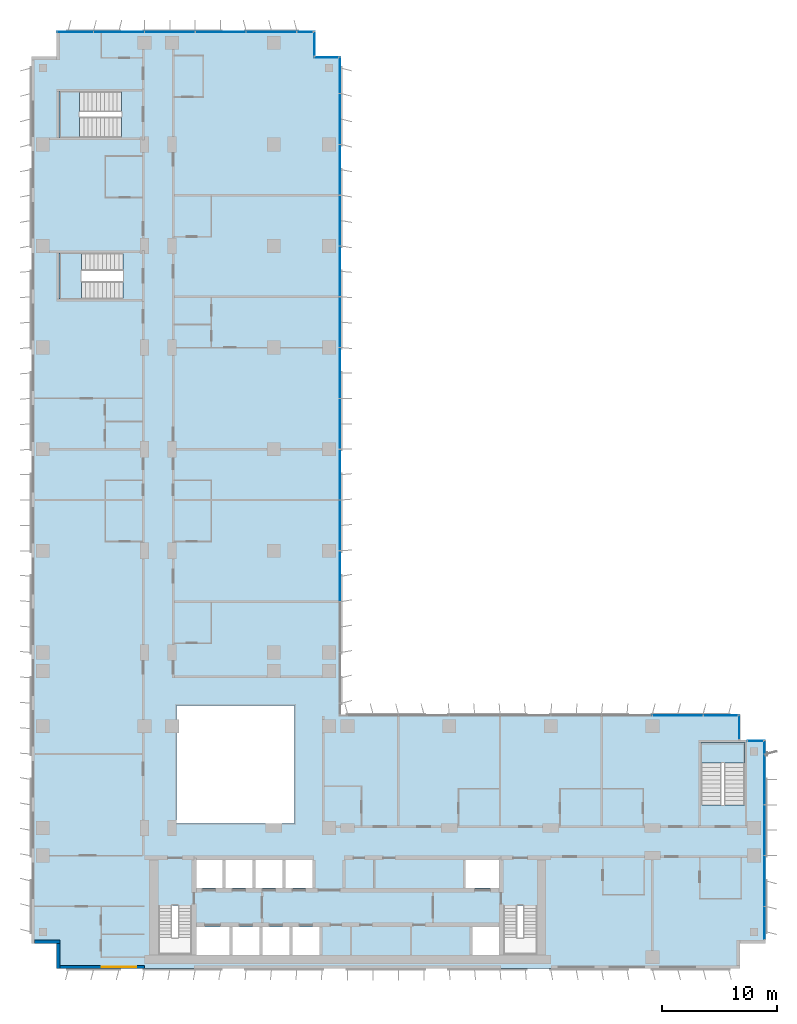
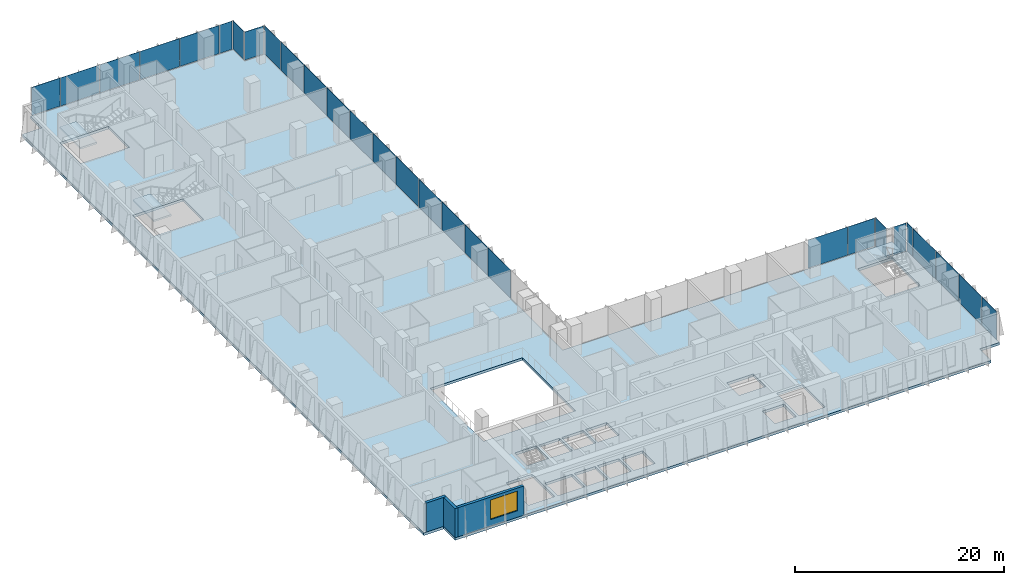
# One storey, part 11 of 22: 28 plates, 4 slabs, 3 walls, 1 window, 1 opening, 11 elements without a shape of their own.
"""IFC4 building model written with IfcOpenShell, lengths in metres."""

from ifc_helpers import new_model, si_unit, direction, frame, frame_2d, origin, origin_2d, place, context, subcontext, project, spatial, polyline, rectangle, outline, extrude, source, transform, mapped, material, layer, layer_set, type_object, element, fill, aggregate, save


model = new_model("IFC4")

# Units and contexts
model_context = context("Model", 3, precision=1e-05, world=origin(), true_north=direction((0.0, 1.0)))
body_context = subcontext(model_context, "Body", "Model", "MODEL_VIEW")
ifc_project = project(units=[si_unit("LENGTHUNIT", "METRE"), si_unit("AREAUNIT", "SQUARE_METRE"), si_unit("VOLUMEUNIT", "CUBIC_METRE"), si_unit("PLANEANGLEUNIT", "RADIAN"), si_unit("MASSUNIT", "GRAM", prefix="KILO")], contexts=[model_context])

# Site, building, storey
site_placement = place(None, origin())
site = spatial("IfcSite", under=ifc_project, at=site_placement, CompositionType="ELEMENT")
building_placement = place(site_placement, origin())
building = spatial("IfcBuilding", under=site, at=building_placement, Name="Kemantara Hotel Tower", CompositionType="ELEMENT")
storey_placement = place(building_placement, frame((0.0, 0.0, 122.199951171875)))
storey = spatial("IfcBuildingStorey", under=building, at=storey_placement, Name="L29", CompositionType="ELEMENT", Elevation=122.199951171875)

# Slab
ifc_material_1 = material(Name="Concrete fc 40 MPa", Category="concrete")
ifc_layer_1 = layer(ifc_material_1, 0.300048828125)
ifc_layer_set_1 = layer_set([ifc_layer_1], Name="Concrete fc 40 MPa")
slab_type_1 = type_object("IfcSlabType", Name="POST-TENSIONED FLAT PLATE 300", PredefinedType="FLOOR", material=ifc_layer_set_1)
slab_1_placement = place(storey_placement, frame((0.0, 0.0, -0.300048828125)))
element("IfcSlab", 1, at=slab_1_placement, inside=storey, type_object=slab_type_1, Name="FLOOR SLAB L29", PredefinedType="FLOOR", context=body_context, shape_type="SweptSolid", body=[
    extrude(outline(polyline([(26.800048828125, 79.0), (24.60009765625, 79.0), (24.60009765625, 81.199951171875), (2.199951171875, 81.199951171875), (2.199951171875, 79.0), (0.0, 79.0), (0.0, 2.199951171875), (2.199951171875, 2.199951171875), (2.199951171875, 0.0), (61.39990234375, 0.0), (61.39990234375, 2.199951171875), (63.60009765625, 2.199951171875), (63.60009765625, 19.800048828125), (61.39990234375, 19.800048828125), (61.39990234375, 22.0), (26.800048828125, 22.0), (26.800048828125, 79.0)]), holes=[polyline([(17.175048828125, 1.199951171875), (14.22509765625, 1.199951171875), (14.22509765625, 3.60009765625), (17.175048828125, 3.60009765625), (17.175048828125, 1.199951171875)]), polyline([(19.77490234375, 1.199951171875), (17.425048828125, 1.199951171875), (17.425048828125, 3.60009765625), (19.77490234375, 3.60009765625), (19.77490234375, 1.199951171875)]), polyline([(11.0, 1.199951171875), (11.0, 5.49951171875), (13.89990234375, 5.49951171875), (13.89990234375, 1.199951171875), (11.0, 1.199951171875)]), polyline([(16.574951171875, 7.0), (14.22509765625, 7.0), (14.22509765625, 9.39990234375), (16.574951171875, 9.39990234375), (16.574951171875, 7.0)]), polyline([(19.175048828125, 7.0), (16.824951171875, 7.0), (16.824951171875, 9.39990234375), (19.175048828125, 9.39990234375), (19.175048828125, 7.0)]), polyline([(22.800048828125, 12.60009765625), (12.60009765625, 12.60009765625), (12.60009765625, 22.800048828125), (22.800048828125, 22.800048828125), (22.800048828125, 12.60009765625)]), polyline([(2.39990234375, 62.0), (7.949462890625, 62.0), (7.949462890625, 58.0), (2.39990234375, 58.0), (2.39990234375, 62.0)]), polyline([(2.39990234375, 76.0), (7.79931640625, 76.0), (7.79931640625, 72.0), (2.39990234375, 72.0), (2.39990234375, 76.0)]), polyline([(22.375, 1.199951171875), (20.02490234375, 1.199951171875), (20.02490234375, 3.60009765625), (22.375, 3.60009765625), (22.375, 1.199951171875)]), polyline([(24.97509765625, 1.199951171875), (22.625, 1.199951171875), (22.625, 3.60009765625), (24.97509765625, 3.60009765625), (24.97509765625, 1.199951171875)]), polyline([(40.574951171875, 1.199951171875), (38.22509765625, 1.199951171875), (38.22509765625, 3.60009765625), (40.574951171875, 3.60009765625), (40.574951171875, 1.199951171875)]), polyline([(40.89990234375, 1.199951171875), (40.89990234375, 5.49951171875), (43.800048828125, 5.49951171875), (43.800048828125, 1.199951171875), (40.89990234375, 1.199951171875)]), polyline([(21.77490234375, 7.0), (19.425048828125, 7.0), (19.425048828125, 9.39990234375), (21.77490234375, 9.39990234375), (21.77490234375, 7.0)]), polyline([(24.375, 7.0), (22.02490234375, 7.0), (22.02490234375, 9.39990234375), (24.375, 9.39990234375), (24.375, 7.0)]), polyline([(40.574951171875, 7.0), (37.625, 7.0), (37.625, 9.39990234375), (40.574951171875, 9.39990234375), (40.574951171875, 7.0)]), polyline([(61.800048828125, 19.60009765625), (61.800048828125, 14.20068359375), (58.0, 14.20068359375), (58.0, 19.60009765625), (61.800048828125, 19.60009765625)])]), origin(), (0.0, 0.0, 1.0), 0.300048828125),
])

# Stair, slab
stair_type_1 = type_object("IfcStairType", Name="Stair 1800 wide 22 risers of 168 x 360 mm", PredefinedType="HALF_TURN_STAIR", material=ifc_material_1)
stair_1_placement = place(storey_placement, origin())
stair_1 = element("IfcStair", 2, at=stair_1_placement, inside=storey, type_object=stair_type_1, Name="L29 Exit stair ST3", PredefinedType="HALF_TURN_STAIR")
ifc_layer_2 = layer(ifc_material_1, 0.199951171875)
ifc_layer_set_2 = layer_set([ifc_layer_2], Name="Concrete fc 40 MPa")
slab_type_2 = type_object("IfcSlabType", Name="Stair landing 200 mm", PredefinedType="LANDING", material=ifc_layer_set_2)
slab_2_placement = place(storey_placement, frame((0.0, 0.0, 1.650146484375)))
slab_2 = element("IfcSlab", 3, at=slab_2_placement, type_object=slab_type_2, Name="ST3 landing 1", PredefinedType="LANDING", context=body_context, shape_type="SweptSolid", body=[
    extrude(outline(polyline([(61.800048828125, 17.800048828125), (61.800048828125, 19.60009765625), (58.0, 19.60009765625), (58.0, 17.800048828125), (61.800048828125, 17.800048828125)])), origin(), (0.0, 0.0, 1.0), 0.199951171875),
])
aggregate(stair_1, [slab_2])

stair_type_2 = type_object("IfcStairType", Name="Stair 1550 wide 22 risers of 168 x 360 mm", PredefinedType="HALF_TURN_STAIR", material=ifc_material_1)
stair_2_placement = place(storey_placement, origin())
stair_2 = element("IfcStair", 4, at=stair_2_placement, inside=storey, type_object=stair_type_2, Name="L29 Exit stair ST4", PredefinedType="HALF_TURN_STAIR")
slab_3_placement = place(storey_placement, frame((0.0, 0.0, 1.650146484375)))
slab_3 = element("IfcSlab", 5, at=slab_3_placement, type_object=slab_type_2, Name="ST4 landing 1", PredefinedType="LANDING", context=body_context, shape_type="SweptSolid", body=[
    extrude(outline(polyline([(4.35009765625, 62.0), (2.39990234375, 62.0), (2.39990234375, 58.0), (4.35009765625, 58.0), (4.35009765625, 62.0)])), origin(), (0.0, 0.0, 1.0), 0.199951171875),
])
aggregate(stair_2, [slab_3])

stair_3_placement = place(storey_placement, origin())
stair_3 = element("IfcStair", 6, at=stair_3_placement, inside=storey, type_object=stair_type_1, Name="L29 Exit stair ST6", PredefinedType="HALF_TURN_STAIR")
slab_4_placement = place(storey_placement, frame((0.0, 0.0, 1.650146484375)))
slab_4 = element("IfcSlab", 7, at=slab_4_placement, type_object=slab_type_2, Name="ST6 landing 1", PredefinedType="LANDING", context=body_context, shape_type="SweptSolid", body=[
    extrude(outline(polyline([(4.199951171875, 76.0), (2.39990234375, 76.0), (2.39990234375, 72.0), (4.199951171875, 72.0), (4.199951171875, 76.0)])), origin(), (0.0, 0.0, 1.0), 0.199951171875),
])
aggregate(stair_3, [slab_4])

# Curtain wall, plate
ifc_material_2 = material(Name="Low-E tinted double insulated glass 36 mm", Category="glass")
curtain_wall_type = type_object("IfcCurtainWallType", Name="TOWER CURTAIN WALL, FRONT FACES", PredefinedType="USERDEFINED", material=ifc_material_2)
curtain_wall_1_placement = place(storey_placement, origin())
curtain_wall_1 = element("IfcCurtainWall", 8, at=curtain_wall_1_placement, inside=storey, type_object=curtain_wall_type, Name="CW4 L29 T2-R10-1", ObjectType="TOWER CURTAIN WALL, FRONT FACES", PredefinedType="USERDEFINED")
ifc_layer_3 = layer(ifc_material_2, 0.035888671875)
ifc_layer_set_3 = layer_set([ifc_layer_3], Name="Low-E tinted double insulated glass 36 mm")
plate_type = type_object("IfcPlateType", Name="TOWER CURTAIN WALL, FRONT FACES PANEL", PredefinedType="CURTAIN_PANEL", material=ifc_layer_set_3)
shared_shape_1 = source(origin(), body_context, "Body", "SweptSolid", [
    extrude(rectangle(XDim=2.81005859375, YDim=0.035888671875, at=origin_2d()), origin(), (0.0, 0.0, 1.0), 3.280029296875),
])
plate_1_placement = place(storey_placement, frame((63.52490234375, 3.965087890625, 0.1201171875), z_axis=(0.0, 0.0, 1.0), x_axis=(0.0, 1.0, 0.0)))
plate_1 = element("IfcPlate", 9, at=plate_1_placement, type_object=plate_type, Name="CW4 glass panel T2-R10-1.1", PredefinedType="CURTAIN_PANEL", context=body_context, shape_type="MappedRepresentation", body=[
    mapped(shared_shape_1, transform((0.0, 0.0, 0.0))),
])

# Curtain wall, plates
curtain_wall_2_placement = place(storey_placement, origin())
curtain_wall_2 = element("IfcCurtainWall", 10, at=curtain_wall_2_placement, inside=storey, type_object=curtain_wall_type, Name="CW4 L29 T2-R01-1", ObjectType="TOWER CURTAIN WALL, FRONT FACES", PredefinedType="USERDEFINED")
shared_shape_2 = source(origin(), body_context, "Body", "SweptSolid", [
    extrude(rectangle(XDim=4.340087890625, YDim=0.035888671875, at=origin_2d()), origin(), (0.0, 0.0, 1.0), 3.280029296875),
])
plate_2_placement = place(storey_placement, frame((20.800048828125, 81.125, 0.1201171875), z_axis=(0.0, 0.0, 1.0), x_axis=(-1.0, 0.0, 0.0)))
plate_2 = element("IfcPlate", 11, at=plate_2_placement, type_object=plate_type, Name="CW4 glass panel T2-R01-1.2", PredefinedType="CURTAIN_PANEL", context=body_context, shape_type="MappedRepresentation", body=[
    mapped(shared_shape_2, transform((0.0, 0.0, 0.0))),
])
plate_3_placement = place(storey_placement, frame((16.39990234375, 81.125, 0.1201171875), z_axis=(0.0, 0.0, 1.0), x_axis=(-1.0, 0.0, 0.0)))
plate_3 = element("IfcPlate", 12, at=plate_3_placement, type_object=plate_type, Name="CW4 glass panel T2-R01-1.3", PredefinedType="CURTAIN_PANEL", context=body_context, shape_type="MappedRepresentation", body=[
    mapped(shared_shape_2, transform((0.0, 0.0, 0.0))),
])
plate_4_placement = place(storey_placement, frame((12.0, 81.125, 0.1201171875), z_axis=(0.0, 0.0, 1.0), x_axis=(-1.0, 0.0, 0.0)))
plate_4 = element("IfcPlate", 13, at=plate_4_placement, type_object=plate_type, Name="CW4 glass panel T2-R01-1.4", PredefinedType="CURTAIN_PANEL", context=body_context, shape_type="MappedRepresentation", body=[
    mapped(shared_shape_2, transform((0.0, 0.0, 0.0))),
])
plate_5_placement = place(storey_placement, frame((7.60009765625, 81.125, 0.1201171875), z_axis=(0.0, 0.0, 1.0), x_axis=(-1.0, 0.0, 0.0)))
plate_5 = element("IfcPlate", 14, at=plate_5_placement, type_object=plate_type, Name="CW4 glass panel T2-R01-1.5", PredefinedType="CURTAIN_PANEL", context=body_context, shape_type="MappedRepresentation", body=[
    mapped(shared_shape_2, transform((0.0, 0.0, 0.0))),
])

# Plate
plate_6_placement = place(storey_placement, frame((63.52490234375, 7.60009765625, 0.1201171875), z_axis=(0.0, 0.0, 1.0), x_axis=(0.0, 1.0, 0.0)))
plate_6 = element("IfcPlate", 15, at=plate_6_placement, type_object=plate_type, Name="CW4 glass panel T2-R10-1.2", PredefinedType="CURTAIN_PANEL", context=body_context, shape_type="MappedRepresentation", body=[
    mapped(shared_shape_2, transform((0.0, 0.0, 0.0))),
])

plate_7_placement = place(storey_placement, frame((63.52490234375, 12.0, 0.1201171875), z_axis=(0.0, 0.0, 1.0), x_axis=(0.0, 1.0, 0.0)))
plate_7 = element("IfcPlate", 16, at=plate_7_placement, type_object=plate_type, Name="CW4 glass panel T2-R10-1.3", PredefinedType="CURTAIN_PANEL", context=body_context, shape_type="MappedRepresentation", body=[
    mapped(shared_shape_2, transform((0.0, 0.0, 0.0))),
])

plate_8_placement = place(storey_placement, frame((63.52490234375, 16.39990234375, 0.1201171875), z_axis=(0.0, 0.0, 1.0), x_axis=(0.0, 1.0, 0.0)))
plate_8 = element("IfcPlate", 17, at=plate_8_placement, type_object=plate_type, Name="CW4 glass panel T2-R10-1.4", PredefinedType="CURTAIN_PANEL", context=body_context, shape_type="MappedRepresentation", body=[
    mapped(shared_shape_2, transform((0.0, 0.0, 0.0))),
])

# Curtain wall, plate
curtain_wall_3_placement = place(storey_placement, origin())
curtain_wall_3 = element("IfcCurtainWall", 18, at=curtain_wall_3_placement, inside=storey, type_object=curtain_wall_type, Name="CW4 L29 T2-R13-1", ObjectType="TOWER CURTAIN WALL, FRONT FACES", PredefinedType="USERDEFINED")
plate_9_placement = place(storey_placement, frame((56.0, 21.925048828125, 0.1201171875), z_axis=(0.0, 0.0, 1.0), x_axis=(-1.0, 0.0, 0.0)))
plate_9 = element("IfcPlate", 19, at=plate_9_placement, type_object=plate_type, Name="CW4 glass panel T2-R13-1.2", PredefinedType="CURTAIN_PANEL", context=body_context, shape_type="MappedRepresentation", body=[
    mapped(shared_shape_2, transform((0.0, 0.0, 0.0))),
])

# Curtain wall, plates
curtain_wall_4_placement = place(storey_placement, origin())
curtain_wall_4 = element("IfcCurtainWall", 20, at=curtain_wall_4_placement, inside=storey, type_object=curtain_wall_type, Name="CW4 L29 T2-R14-1", ObjectType="TOWER CURTAIN WALL, FRONT FACES", PredefinedType="USERDEFINED")
plate_10_placement = place(storey_placement, frame((26.72509765625, 34.0, 0.1201171875), z_axis=(0.0, 0.0, 1.0), x_axis=(0.0, 1.0, 0.0)))
plate_10 = element("IfcPlate", 21, at=plate_10_placement, type_object=plate_type, Name="CW4 glass panel T2-R14-1.4", PredefinedType="CURTAIN_PANEL", context=body_context, shape_type="MappedRepresentation", body=[
    mapped(shared_shape_2, transform((0.0, 0.0, 0.0))),
])
plate_11_placement = place(storey_placement, frame((26.72509765625, 38.39990234375, 0.1201171875), z_axis=(0.0, 0.0, 1.0), x_axis=(0.0, 1.0, 0.0)))
plate_11 = element("IfcPlate", 22, at=plate_11_placement, type_object=plate_type, Name="CW4 glass panel T2-R14-1.5", PredefinedType="CURTAIN_PANEL", context=body_context, shape_type="MappedRepresentation", body=[
    mapped(shared_shape_2, transform((0.0, 0.0, 0.0))),
])
plate_12_placement = place(storey_placement, frame((26.72509765625, 42.800048828125, 0.1201171875), z_axis=(0.0, 0.0, 1.0), x_axis=(0.0, 1.0, 0.0)))
plate_12 = element("IfcPlate", 23, at=plate_12_placement, type_object=plate_type, Name="CW4 glass panel T2-R14-1.6", PredefinedType="CURTAIN_PANEL", context=body_context, shape_type="MappedRepresentation", body=[
    mapped(shared_shape_2, transform((0.0, 0.0, 0.0))),
])
plate_13_placement = place(storey_placement, frame((26.72509765625, 47.199951171875, 0.1201171875), z_axis=(0.0, 0.0, 1.0), x_axis=(0.0, 1.0, 0.0)))
plate_13 = element("IfcPlate", 24, at=plate_13_placement, type_object=plate_type, Name="CW4 glass panel T2-R14-1.7", PredefinedType="CURTAIN_PANEL", context=body_context, shape_type="MappedRepresentation", body=[
    mapped(shared_shape_2, transform((0.0, 0.0, 0.0))),
])
plate_14_placement = place(storey_placement, frame((26.72509765625, 51.60009765625, 0.1201171875), z_axis=(0.0, 0.0, 1.0), x_axis=(0.0, 1.0, 0.0)))
plate_14 = element("IfcPlate", 25, at=plate_14_placement, type_object=plate_type, Name="CW4 glass panel T2-R14-1.8", PredefinedType="CURTAIN_PANEL", context=body_context, shape_type="MappedRepresentation", body=[
    mapped(shared_shape_2, transform((0.0, 0.0, 0.0))),
])
plate_15_placement = place(storey_placement, frame((26.72509765625, 56.0, 0.1201171875), z_axis=(0.0, 0.0, 1.0), x_axis=(0.0, 1.0, 0.0)))
plate_15 = element("IfcPlate", 26, at=plate_15_placement, type_object=plate_type, Name="CW4 glass panel T2-R14-1.9", PredefinedType="CURTAIN_PANEL", context=body_context, shape_type="MappedRepresentation", body=[
    mapped(shared_shape_2, transform((0.0, 0.0, 0.0))),
])
plate_16_placement = place(storey_placement, frame((26.72509765625, 60.39990234375, 0.1201171875), z_axis=(0.0, 0.0, 1.0), x_axis=(0.0, 1.0, 0.0)))
plate_16 = element("IfcPlate", 27, at=plate_16_placement, type_object=plate_type, Name="CW4 glass panel T2-R14-1.10", PredefinedType="CURTAIN_PANEL", context=body_context, shape_type="MappedRepresentation", body=[
    mapped(shared_shape_2, transform((0.0, 0.0, 0.0))),
])
plate_17_placement = place(storey_placement, frame((26.72509765625, 64.800048828125, 0.1201171875), z_axis=(0.0, 0.0, 1.0), x_axis=(0.0, 1.0, 0.0)))
plate_17 = element("IfcPlate", 28, at=plate_17_placement, type_object=plate_type, Name="CW4 glass panel T2-R14-1.11", PredefinedType="CURTAIN_PANEL", context=body_context, shape_type="MappedRepresentation", body=[
    mapped(shared_shape_2, transform((0.0, 0.0, 0.0))),
])
plate_18_placement = place(storey_placement, frame((26.72509765625, 69.199951171875, 0.1201171875), z_axis=(0.0, 0.0, 1.0), x_axis=(0.0, 1.0, 0.0)))
plate_18 = element("IfcPlate", 29, at=plate_18_placement, type_object=plate_type, Name="CW4 glass panel T2-R14-1.12", PredefinedType="CURTAIN_PANEL", context=body_context, shape_type="MappedRepresentation", body=[
    mapped(shared_shape_2, transform((0.0, 0.0, 0.0))),
])
plate_19_placement = place(storey_placement, frame((26.72509765625, 73.60009765625, 0.1201171875), z_axis=(0.0, 0.0, 1.0), x_axis=(0.0, 1.0, 0.0)))
plate_19 = element("IfcPlate", 30, at=plate_19_placement, type_object=plate_type, Name="CW4 glass panel T2-R14-1.13", PredefinedType="CURTAIN_PANEL", context=body_context, shape_type="MappedRepresentation", body=[
    mapped(shared_shape_2, transform((0.0, 0.0, 0.0))),
])

# Plate
shared_shape_3 = source(origin(), body_context, "Body", "SweptSolid", [
    extrude(rectangle(XDim=1.360107421875, YDim=0.035888671875, at=origin_2d()), origin(), (0.0, 0.0, 1.0), 3.280029296875),
])
plate_20_placement = place(storey_placement, frame((23.7099609375, 81.125, 0.1201171875), z_axis=(0.0, 0.0, 1.0), x_axis=(-1.0, 0.0, 0.0)))
plate_20 = element("IfcPlate", 31, at=plate_20_placement, type_object=plate_type, Name="CW4 glass panel T2-R01-1.1", PredefinedType="CURTAIN_PANEL", context=body_context, shape_type="MappedRepresentation", body=[
    mapped(shared_shape_3, transform((0.0, 0.0, 0.0))),
])

shared_shape_4 = source(origin(), body_context, "Body", "SweptSolid", [
    extrude(rectangle(XDim=3.110107421875, YDim=0.035888671875, at=origin_2d()), origin(), (0.0, 0.0, 1.0), 3.280029296875),
])
plate_21_placement = place(storey_placement, frame((3.81494140625, 81.125, 0.1201171875), z_axis=(0.0, 0.0, 1.0), x_axis=(-1.0, 0.0, 0.0)))
plate_21 = element("IfcPlate", 32, at=plate_21_placement, type_object=plate_type, Name="CW4 glass panel T2-R01-1.6", PredefinedType="CURTAIN_PANEL", context=body_context, shape_type="MappedRepresentation", body=[
    mapped(shared_shape_4, transform((0.0, 0.0, 0.0))),
])

aggregate(curtain_wall_2, [plate_20, plate_2, plate_3, plate_4, plate_5, plate_21])

plate_22_placement = place(storey_placement, frame((26.72509765625, 77.385009765625, 0.1201171875), z_axis=(0.0, 0.0, 1.0), x_axis=(0.0, 1.0, 0.0)))
plate_22 = element("IfcPlate", 33, at=plate_22_placement, type_object=plate_type, Name="CW4 glass panel T2-R14-1.14", PredefinedType="CURTAIN_PANEL", context=body_context, shape_type="MappedRepresentation", body=[
    mapped(shared_shape_4, transform((0.0, 0.0, 0.0))),
])

aggregate(curtain_wall_4, [plate_10, plate_11, plate_12, plate_13, plate_14, plate_15, plate_16, plate_17, plate_18, plate_19, plate_22])

# Curtain wall, plate
curtain_wall_5_placement = place(storey_placement, origin())
curtain_wall_5 = element("IfcCurtainWall", 34, at=curtain_wall_5_placement, inside=storey, type_object=curtain_wall_type, Name="CW4 L29 T2-R00-1", ObjectType="TOWER CURTAIN WALL, FRONT FACES", PredefinedType="USERDEFINED")
shared_shape_5 = source(origin(), body_context, "Body", "SweptSolid", [
    extrude(rectangle(XDim=2.080078125, YDim=0.035888671875, at=origin_2d()), origin(), (0.0, 0.0, 1.0), 3.280029296875),
])
plate_23_placement = place(storey_placement, frame((24.52490234375, 80.10009765625, 0.1201171875), z_axis=(0.0, 0.0, 1.0), x_axis=(0.0, 1.0, 0.0)))
plate_23 = element("IfcPlate", 35, at=plate_23_placement, type_object=plate_type, Name="CW4 glass panel T2-R00-1.1", PredefinedType="CURTAIN_PANEL", context=body_context, shape_type="MappedRepresentation", body=[
    mapped(shared_shape_5, transform((0.0, 0.0, 0.0))),
])
aggregate(curtain_wall_5, [plate_23])

curtain_wall_6_placement = place(storey_placement, origin())
curtain_wall_6 = element("IfcCurtainWall", 36, at=curtain_wall_6_placement, inside=storey, type_object=curtain_wall_type, Name="CW4 L29 T2-R12-1", ObjectType="TOWER CURTAIN WALL, FRONT FACES", PredefinedType="USERDEFINED")
plate_24_placement = place(storey_placement, frame((61.324951171875, 20.89990234375, 0.1201171875), z_axis=(0.0, 0.0, 1.0), x_axis=(0.0, 1.0, 0.0)))
plate_24 = element("IfcPlate", 37, at=plate_24_placement, type_object=plate_type, Name="CW4 glass panel T2-R12-1.1", PredefinedType="CURTAIN_PANEL", context=body_context, shape_type="MappedRepresentation", body=[
    mapped(shared_shape_5, transform((0.0, 0.0, 0.0))),
])
aggregate(curtain_wall_6, [plate_24])

curtain_wall_7_placement = place(storey_placement, origin())
curtain_wall_7 = element("IfcCurtainWall", 38, at=curtain_wall_7_placement, inside=storey, type_object=curtain_wall_type, Name="CW4 L29 T2-R15-1", ObjectType="TOWER CURTAIN WALL, FRONT FACES", PredefinedType="USERDEFINED")
plate_25_placement = place(storey_placement, frame((25.550048828125, 78.925048828125, 0.1201171875), z_axis=(0.0, 0.0, 1.0), x_axis=(-1.0, 0.0, 0.0)))
plate_25 = element("IfcPlate", 39, at=plate_25_placement, type_object=plate_type, Name="CW4 glass panel T2-R15-1.1", PredefinedType="CURTAIN_PANEL", context=body_context, shape_type="MappedRepresentation", body=[
    mapped(shared_shape_5, transform((0.0, 0.0, 0.0))),
])
aggregate(curtain_wall_7, [plate_25])

# Plate
shared_shape_6 = source(origin(), body_context, "Body", "SweptSolid", [
    extrude(rectangle(XDim=2.9599609375, YDim=0.035888671875, at=origin_2d()), origin(), (0.0, 0.0, 1.0), 3.280029296875),
])
plate_26_placement = place(storey_placement, frame((59.7099609375, 21.925048828125, 0.1201171875), z_axis=(0.0, 0.0, 1.0), x_axis=(-1.0, 0.0, 0.0)))
plate_26 = element("IfcPlate", 40, at=plate_26_placement, type_object=plate_type, Name="CW4 glass panel T2-R13-1.1", PredefinedType="CURTAIN_PANEL", context=body_context, shape_type="MappedRepresentation", body=[
    mapped(shared_shape_6, transform((0.0, 0.0, 0.0))),
])

aggregate(curtain_wall_3, [plate_26, plate_9])

shared_shape_7 = source(origin(), body_context, "Body", "SweptSolid", [
    extrude(rectangle(XDim=1.110107421875, YDim=0.035888671875, at=origin_2d()), origin(), (0.0, 0.0, 1.0), 3.280029296875),
])
plate_27_placement = place(storey_placement, frame((63.52490234375, 19.18505859375, 0.1201171875), z_axis=(0.0, 0.0, 1.0), x_axis=(0.0, 1.0, 0.0)))
plate_27 = element("IfcPlate", 41, at=plate_27_placement, type_object=plate_type, Name="CW4 glass panel T2-R10-1.5", PredefinedType="CURTAIN_PANEL", context=body_context, shape_type="MappedRepresentation", body=[
    mapped(shared_shape_7, transform((0.0, 0.0, 0.0))),
])

aggregate(curtain_wall_1, [plate_1, plate_6, plate_7, plate_8, plate_27])

# Curtain wall, plate
curtain_wall_8_placement = place(storey_placement, origin())
curtain_wall_8 = element("IfcCurtainWall", 42, at=curtain_wall_8_placement, inside=storey, type_object=curtain_wall_type, Name="CW4 L29 T2-R11-1", ObjectType="TOWER CURTAIN WALL, FRONT FACES", PredefinedType="USERDEFINED")
shared_shape_8 = source(origin(), body_context, "Body", "SweptSolid", [
    extrude(rectangle(XDim=1.330078125, YDim=0.035888671875, at=origin_2d()), origin(), (0.0, 0.0, 1.0), 3.280029296875),
])
plate_28_placement = place(storey_placement, frame((62.72509765625, 19.72509765625, 0.1201171875), z_axis=(0.0, 0.0, 1.0), x_axis=(-1.0, 0.0, 0.0)))
plate_28 = element("IfcPlate", 43, at=plate_28_placement, type_object=plate_type, Name="CW4 glass panel T2-R11-1.1", PredefinedType="CURTAIN_PANEL", context=body_context, shape_type="MappedRepresentation", body=[
    mapped(shared_shape_8, transform((0.0, 0.0, 0.0))),
])
aggregate(curtain_wall_8, [plate_28])

# Walls
ifc_material_3 = material(Name="Bronze anodised aluminium cladding on insulated steel stud wall", Category="steel")
ifc_layer_4 = layer(ifc_material_3, 0.300048828125)
ifc_layer_set_4 = layer_set([ifc_layer_4], Name="Bronze anodised aluminium cladding on insulated steel stud wall")
wall_type = type_object("IfcWallType", Name="BRONZE METAL-CLAD EXTERNAL WALL 300", PredefinedType="STANDARD", material=ifc_layer_set_4)
for number, where, z_axis, x_axis, name in (
    (44, (0.300048828125, 2.35009765625, 0.0), (0.0, 0.0, 1.0), (1.0, 0.0, 0.0), "EXTERNAL WALL L29 T2-R05"),
    (45, (2.35009765625, 2.199951171875, 0.0), (0.0, 0.0, 1.0), (0.0, -1.0, 0.0), "EXTERNAL WALL L29 T2-R06"),
):
    element("IfcWall", number, at=place(storey_placement, frame(where, z_axis=z_axis, x_axis=x_axis)), inside=storey, type_object=wall_type, Name=name, PredefinedType="STANDARD", context=body_context, shape_type="SweptSolid", body=[
        extrude(rectangle(XDim=2.199951171875, YDim=0.300048828125, at=frame_2d((1.10009765625, 0.0))), origin(), (0.0, 0.0, 1.0), 3.400146484375),
    ])

# Wall, opening, window
wall_placement = place(storey_placement, frame((2.5, 0.14990234375, 0.0), z_axis=(0.0, 0.0, 1.0), x_axis=(1.0, 0.0, 0.0)))
wall = element("IfcWall", 46, at=wall_placement, inside=storey, type_object=wall_type, Name="EXTERNAL WALL L29 T2-R07", PredefinedType="STANDARD", context=body_context, shape_type="SweptSolid", body=[
    extrude(rectangle(XDim=7.300048828125, YDim=0.300048828125, at=frame_2d((3.64990234375, 0.0))), origin(), (0.0, 0.0, 1.0), 3.400146484375),
])
opening_placement = place(wall_placement, frame((3.60009765625, 0.0, 0.75)))
opening = element("IfcOpeningElement", 47, at=opening_placement, cuts=wall, Name="Opening W1", PredefinedType="OPENING", context=body_context, shape_type="SweptSolid", body=[
    extrude(rectangle(XDim=3.0, YDim=2.300048828125, at=frame_2d((1.5, 1.14990234375))), frame((0.0, 0.159912109375, 0.0), z_axis=(0.0, -1.0, 0.0), x_axis=(1.0, 0.0, 0.0)), (0.0, 0.0, 1.0), 0.320068359375),
])
ifc_material_4 = material(Name="Low-E tinted double insulated glass in bronze anodised aluminium frame", Category="aluminium")
window_type = type_object("IfcWindowType", Name="CHICAGO WINDOW, TRIPLE PANEL 3000x2300", PartitioningType="TRIPLE_PANEL_VERTICAL", PredefinedType="WINDOW", material=ifc_material_4)
window_placement = place(opening_placement, origin())
window = element("IfcWindow", 48, at=window_placement, inside=storey, type_object=window_type, Name="CHICAGO WINDOW L29 T2-R07-54", OverallHeight=2.300048828125, OverallWidth=3.0, PartitioningType="SINGLE_PANEL", PredefinedType="WINDOW", context=body_context, shape_type="SweptSolid", body=[
    extrude(rectangle(XDim=3.0, YDim=2.300048828125, at=frame_2d((1.5, 1.14990234375))), frame((0.0, 0.030029296875, 0.0), z_axis=(0.0, -1.0, 0.0), x_axis=(1.0, 0.0, 0.0)), (0.0, 0.0, 1.0), 0.06005859375),
])
fill(opening, window)

save(model, "model.ifc")
